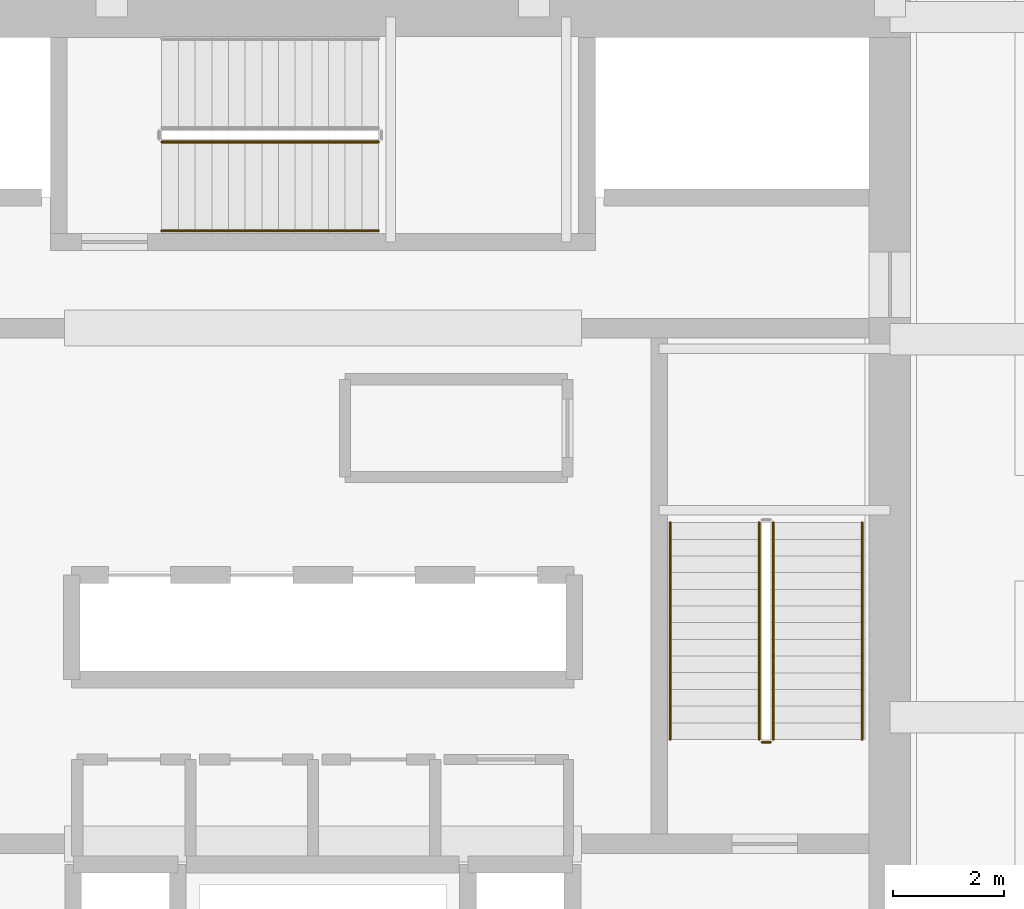
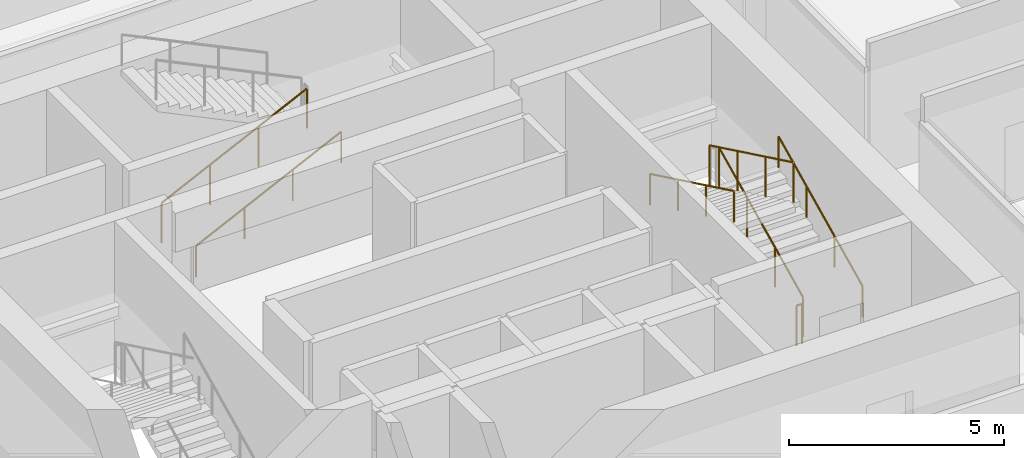
# One storey, part 24 of 30: 7 railings.
"""IFC4 building model written with IfcOpenShell, lengths in metres."""

from ifc_helpers import new_model, si_unit, direction, frame, origin, origin_2d, place, context, subcontext, project, spatial, circle, extrude, material, type_object, element, save


model = new_model("IFC4")

# Units and contexts
model_context = context("Model", 3, precision=1e-05, world=origin(), true_north=direction((0.0, 1.0)))
body_context = subcontext(model_context, "Body", "Model", "MODEL_VIEW")
ifc_project = project(units=[si_unit("LENGTHUNIT", "METRE"), si_unit("AREAUNIT", "SQUARE_METRE"), si_unit("VOLUMEUNIT", "CUBIC_METRE"), si_unit("PLANEANGLEUNIT", "RADIAN"), si_unit("MASSUNIT", "GRAM", prefix="KILO")], contexts=[model_context])

# Site, building, storey
site_placement = place(None, origin())
site = spatial("IfcSite", under=ifc_project, at=site_placement, CompositionType="ELEMENT")
building_placement = place(site_placement, origin())
building = spatial("IfcBuilding", under=site, at=building_placement, Name="Punatoya Terracotta Tower", CompositionType="ELEMENT")
storey_placement = place(building_placement, frame((0.0, 0.0, 28.199951171875)))
storey = spatial("IfcBuildingStorey", under=building, at=storey_placement, Name="L05", CompositionType="ELEMENT", Elevation=28.199951171875)

# Railings
ifc_material = material(Name="Steel S355", Category="steel")
railing_type_1 = type_object("IfcRailingType", Name="RLG-GRD-1150", PredefinedType="GUARDRAIL", material=ifc_material)
railing_1_placement = place(storey_placement, frame((8.10009765625, -3.800048828125, 0.144775390625)))
element("IfcRailing", 1, at=railing_1_placement, inside=storey, type_object=railing_type_1, Name="L05 ST-2 stair guard 1", PredefinedType="GUARDRAIL", context=body_context, shape_type="SweptSolid", body=[
    extrude(circle(Radius=0.02392578125, at=origin_2d()), frame((0.0, 0.0, 1.1259765625), z_axis=(0.0, 0.900773802044, 0.434288564841), x_axis=(-1.0, 0.0, 0.0)), (0.0, 0.0, 1.0), 4.329833984375),
    extrude(circle(Radius=0.02099609375, at=origin_2d()), origin(), (0.0, 0.0, 1.0), 1.101806640625),
    extrude(circle(Radius=0.02099609375, at=origin_2d()), frame((0.0, 1.300048828125, 0.626708984375)), (0.0, 0.0, 1.0), 1.101806640625),
    extrude(circle(Radius=0.02099609375, at=origin_2d()), frame((0.0, 2.60009765625, 1.253662109375)), (0.0, 0.0, 1.0), 1.101806640625),
    extrude(circle(Radius=0.02099609375, at=origin_2d()), frame((0.0, 3.900146484375, 1.88037109375)), (0.0, 0.0, 1.0), 1.101806640625),
])
railing_2_placement = place(storey_placement, frame((7.85009765625, 0.10009765625, 2.169677734375)))
element("IfcRailing", 2, at=railing_2_placement, inside=storey, type_object=railing_type_1, Name="L05 ST-2 stair guard 3", PredefinedType="GUARDRAIL", context=body_context, shape_type="SweptSolid", body=[
    extrude(circle(Radius=0.02392578125, at=origin_2d()), frame((0.0, 0.0, 1.1259765625), z_axis=(0.0, -0.900773802044, 0.434288564841), x_axis=(1.0, 0.0, 0.0)), (0.0, 0.0, 1.0), 4.329833984375),
    extrude(circle(Radius=0.02099609375, at=origin_2d()), origin(), (0.0, 0.0, 1.0), 1.101806640625),
    extrude(circle(Radius=0.02099609375, at=origin_2d()), frame((0.0, -1.300048828125, 0.626708984375)), (0.0, 0.0, 1.0), 1.101806640625),
    extrude(circle(Radius=0.02099609375, at=origin_2d()), frame((0.0, -2.60009765625, 1.253662109375)), (0.0, 0.0, 1.0), 1.101806640625),
    extrude(circle(Radius=0.02099609375, at=origin_2d()), frame((0.0, -3.900146484375, 1.88037109375)), (0.0, 0.0, 1.0), 1.101806640625),
])
railing_3_placement = place(storey_placement, frame((8.050048828125, -3.85009765625, 0.0)))
element("IfcRailing", 3, at=railing_3_placement, inside=storey, type_object=railing_type_1, Name="L05 ST-2 stair guard 4", PredefinedType="GUARDRAIL", context=body_context, shape_type="SweptSolid", body=[
    extrude(circle(Radius=0.02392578125, at=origin_2d()), frame((0.0, 0.0, 1.1259765625), z_axis=(-1.0, 0.0, 0.0), x_axis=(0.0, -1.0, 0.0)), (0.0, 0.0, 1.0), 0.150146484375),
    extrude(circle(Radius=0.02099609375, at=origin_2d()), origin(), (0.0, 0.0, 1.0), 1.101806640625),
    extrude(circle(Radius=0.02099609375, at=origin_2d()), frame((-0.150146484375, 0.0, 0.0)), (0.0, 0.0, 1.0), 1.101806640625),
])
railing_4_placement = place(storey_placement, frame((-2.89990234375, 6.949951171875, 0.144775390625)))
element("IfcRailing", 4, at=railing_4_placement, inside=storey, type_object=railing_type_1, Name="L05 ST-3 stair guard 1", PredefinedType="GUARDRAIL", context=body_context, shape_type="SweptSolid", body=[
    extrude(circle(Radius=0.02392578125, at=origin_2d()), frame((0.0, 0.0, 1.1259765625), z_axis=(0.900763166376, 0.0, 0.434310623978), x_axis=(0.0, 1.0, 0.0)), (0.0, 0.0, 1.0), 4.32958984375),
    extrude(circle(Radius=0.02099609375, at=origin_2d()), origin(), (0.0, 0.0, 1.0), 1.101806640625),
    extrude(circle(Radius=0.02099609375, at=origin_2d()), frame((1.300048828125, 0.0, 0.626708984375)), (0.0, 0.0, 1.0), 1.101806640625),
    extrude(circle(Radius=0.02099609375, at=origin_2d()), frame((2.599853515625, 0.0, 1.253662109375)), (0.0, 0.0, 1.0), 1.101806640625),
    extrude(circle(Radius=0.02099609375, at=origin_2d()), frame((3.89990234375, 0.0, 1.88037109375)), (0.0, 0.0, 1.0), 1.101806640625),
])
railing_type_2 = type_object("IfcRailingType", Name="RLG-HND-900", PredefinedType="HANDRAIL", material=ifc_material)
railing_5_placement = place(storey_placement, frame((9.699951171875, -3.800048828125, 0.144775390625)))
element("IfcRailing", 5, at=railing_5_placement, inside=storey, type_object=railing_type_2, Name="L05 ST-2 stair handrail 1", PredefinedType="HANDRAIL", context=body_context, shape_type="SweptSolid", body=[
    extrude(circle(Radius=0.02392578125, at=origin_2d()), frame((0.0, 0.0, 0.8759765625), z_axis=(0.0, 0.900773802044, 0.434288564841), x_axis=(-1.0, 0.0, 0.0)), (0.0, 0.0, 1.0), 4.329833984375),
    extrude(circle(Radius=0.02099609375, at=origin_2d()), origin(), (0.0, 0.0, 1.0), 0.851806640625),
    extrude(circle(Radius=0.02099609375, at=origin_2d()), frame((0.0, 1.300048828125, 0.626708984375)), (0.0, 0.0, 1.0), 0.851806640625),
    extrude(circle(Radius=0.02099609375, at=origin_2d()), frame((0.0, 2.60009765625, 1.253662109375)), (0.0, 0.0, 1.0), 0.851806640625),
    extrude(circle(Radius=0.02099609375, at=origin_2d()), frame((0.0, 3.900146484375, 1.88037109375)), (0.0, 0.0, 1.0), 0.851806640625),
])
railing_6_placement = place(storey_placement, frame((6.25, 0.10009765625, 2.169677734375)))
element("IfcRailing", 6, at=railing_6_placement, inside=storey, type_object=railing_type_2, Name="L05 ST-2 stair handrail 2", PredefinedType="HANDRAIL", context=body_context, shape_type="SweptSolid", body=[
    extrude(circle(Radius=0.02392578125, at=origin_2d()), frame((0.0, 0.0, 0.8759765625), z_axis=(0.0, -0.900773802044, 0.434288564841), x_axis=(1.0, 0.0, 0.0)), (0.0, 0.0, 1.0), 4.329833984375),
    extrude(circle(Radius=0.02099609375, at=origin_2d()), origin(), (0.0, 0.0, 1.0), 0.851806640625),
    extrude(circle(Radius=0.02099609375, at=origin_2d()), frame((0.0, -1.300048828125, 0.626708984375)), (0.0, 0.0, 1.0), 0.851806640625),
    extrude(circle(Radius=0.02099609375, at=origin_2d()), frame((0.0, -2.60009765625, 1.253662109375)), (0.0, 0.0, 1.0), 0.851806640625),
    extrude(circle(Radius=0.02099609375, at=origin_2d()), frame((0.0, -3.900146484375, 1.88037109375)), (0.0, 0.0, 1.0), 0.851806640625),
])
railing_7_placement = place(storey_placement, frame((-2.89990234375, 5.35009765625, 0.144775390625)))
element("IfcRailing", 7, at=railing_7_placement, inside=storey, type_object=railing_type_2, Name="L05 ST-3 stair handrail 1", PredefinedType="HANDRAIL", context=body_context, shape_type="SweptSolid", body=[
    extrude(circle(Radius=0.02392578125, at=origin_2d()), frame((0.0, 0.0, 0.8759765625), z_axis=(0.900763166376, 0.0, 0.434310623978), x_axis=(0.0, 1.0, 0.0)), (0.0, 0.0, 1.0), 4.32958984375),
    extrude(circle(Radius=0.02099609375, at=origin_2d()), origin(), (0.0, 0.0, 1.0), 0.851806640625),
    extrude(circle(Radius=0.02099609375, at=origin_2d()), frame((1.300048828125, 0.0, 0.626708984375)), (0.0, 0.0, 1.0), 0.851806640625),
    extrude(circle(Radius=0.02099609375, at=origin_2d()), frame((2.599853515625, 0.0, 1.253662109375)), (0.0, 0.0, 1.0), 0.851806640625),
    extrude(circle(Radius=0.02099609375, at=origin_2d()), frame((3.89990234375, 0.0, 1.88037109375)), (0.0, 0.0, 1.0), 0.851806640625),
])

save(model, "model.ifc")
